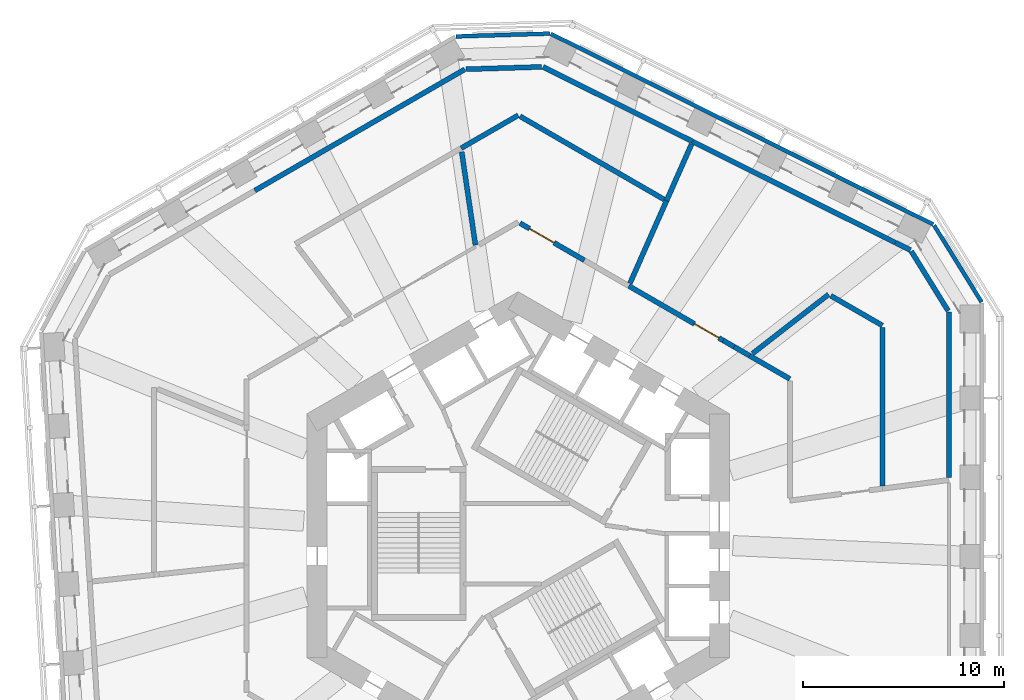
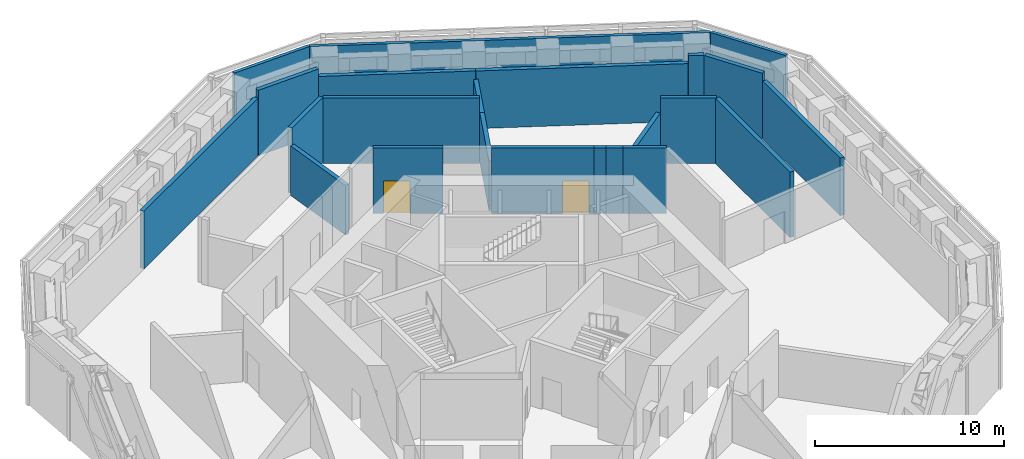
# One storey, part 8 of 15: 23 walls, 2 doors, 2 openings.
"""IFC4 building model written with IfcOpenShell, lengths in metres."""

from ifc_helpers import new_model, si_unit, direction, frame, frame_2d, origin, place, context, subcontext, project, spatial, rectangle, extrude, material, layer, layer_set, type_object, element, fill, save


model = new_model("IFC4")

# Units and contexts
model_context = context("Model", 3, precision=1e-05, world=origin(), true_north=direction((0.0, 1.0)))
body_context = subcontext(model_context, "Body", "Model", "MODEL_VIEW")
ifc_project = project(units=[si_unit("LENGTHUNIT", "METRE"), si_unit("AREAUNIT", "SQUARE_METRE"), si_unit("VOLUMEUNIT", "CUBIC_METRE"), si_unit("PLANEANGLEUNIT", "RADIAN"), si_unit("MASSUNIT", "GRAM", prefix="KILO")], contexts=[model_context])

# Site, building, storey
site_placement = place(None, origin())
site = spatial("IfcSite", under=ifc_project, at=site_placement, CompositionType="ELEMENT")
building_placement = place(site_placement, origin())
building = spatial("IfcBuilding", under=site, at=building_placement, Name="Vanh Sen Convention Tower", CompositionType="ELEMENT")
storey_placement = place(building_placement, frame((0.0, 0.0, 119.89990234375)))
storey = spatial("IfcBuildingStorey", under=building, at=storey_placement, Name="L29", CompositionType="ELEMENT", Elevation=119.89990234375)

# Walls
ifc_material_1 = material(Name="Concrete C40/50", Category="concrete")
ifc_layer_1 = layer(ifc_material_1, 0.25)
ifc_layer_set_1 = layer_set([ifc_layer_1], Name="Concrete C40/50")
wall_type_1 = type_object("IfcWallType", Name="Concrete wall 250 EI 180", PredefinedType="SOLIDWALL", material=ifc_layer_set_1)
wall_1_placement = place(storey_placement, frame((13.5, 7.7939453125, 0.0), z_axis=(0.0, 0.0, 1.0), x_axis=(-0.86594365243, 0.500141570774, 0.0)))
element("IfcWall", 1, at=wall_1_placement, inside=storey, type_object=wall_type_1, Name="Fire-resisting wall L29-047", PredefinedType="SOLIDWALL", context=body_context, shape_type="SweptSolid", body=[
    extrude(rectangle(XDim=2.302490234375, YDim=0.25, at=frame_2d((1.1513671875, 0.0))), origin(), (0.0, 0.0, 1.0), 4.22021484375),
])
wall_2_placement = place(storey_placement, frame((10.7333984375, 9.3916015625, 0.0), z_axis=(0.0, 0.0, 1.0), x_axis=(0.86606255962, -0.499935638681, 0.0)))
element("IfcWall", 2, at=wall_2_placement, inside=storey, type_object=wall_type_1, Name="Fire-resisting wall L29-049", PredefinedType="SOLIDWALL", context=body_context, shape_type="SweptSolid", body=[
    extrude(rectangle(XDim=0.89208984375, YDim=0.25, at=frame_2d((0.446044921875, 0.0))), origin(), (0.0, 0.0, 1.0), 4.22021484375),
])
wall_3_placement = place(storey_placement, frame((10.185791015625, 9.707763671875, 0.0), z_axis=(0.0, 0.0, 1.0), x_axis=(0.866024844342, -0.500000968981, 0.0)))
element("IfcWall", 3, at=wall_3_placement, inside=storey, type_object=wall_type_1, Name="Fire-resisting wall L29-050", PredefinedType="SOLIDWALL", context=body_context, shape_type="SweptSolid", body=[
    extrude(rectangle(XDim=0.63232421875, YDim=0.25, at=frame_2d((0.316162109375, 0.0))), origin(), (0.0, 0.0, 1.0), 4.22021484375),
])

# Wall, opening, door
wall_4_placement = place(storey_placement, frame((10.185791015625, 9.707763671875, 0.0), z_axis=(0.0, 0.0, 1.0), x_axis=(-0.866018196172, 0.500012483742, 0.0)))
wall_4 = element("IfcWall", 4, at=wall_4_placement, inside=storey, type_object=wall_type_1, Name="Fire-resisting wall L29-051", PredefinedType="SOLIDWALL", context=body_context, shape_type="SweptSolid", body=[
    extrude(rectangle(XDim=5.416259765625, YDim=0.25, at=frame_2d((2.7080078125, 0.0))), origin(), (0.0, 0.0, 1.0), 4.22021484375),
])
opening_1_placement = place(wall_4_placement, frame((0.25, 0.0, 0.0)))
opening_1 = element("IfcOpeningElement", 5, at=opening_1_placement, cuts=wall_4, Name="Opening D29108", PredefinedType="OPENING", context=body_context, shape_type="SweptSolid", body=[
    extrude(rectangle(XDim=1.39990234375, YDim=2.10009765625, at=frame_2d((0.699951171875, 1.050048828125))), frame((0.0, 0.135009765625, 0.0), z_axis=(0.0, -1.0, 0.0), x_axis=(1.0, 0.0, 0.0)), (0.0, 0.0, 1.0), 0.27001953125),
])
ifc_material_2 = material(Name="Steel S355", Category="steel")
door_type = type_object("IfcDoorType", Name="Service door 1400 EI 60", OperationType="SINGLE_SWING_LEFT", PredefinedType="DOOR", material=ifc_material_2)
door_1_placement = place(opening_1_placement, origin())
door_1 = element("IfcDoor", 6, at=door_1_placement, inside=storey, type_object=door_type, Name="Service door D29108", OperationType="SINGLE_SWING_LEFT", OverallHeight=2.10009765625, OverallWidth=1.39990234375, PredefinedType="DOOR", context=body_context, shape_type="SweptSolid", body=[
    extrude(rectangle(XDim=1.39990234375, YDim=2.10009765625, at=frame_2d((0.699951171875, 1.050048828125))), frame((0.0, 0.02490234375, 0.0), z_axis=(0.0, -1.0, 0.0), x_axis=(1.0, 0.0, 0.0)), (0.0, 0.0, 1.0), 0.050048828125),
])
fill(opening_1, door_1)

# Walls
wall_5_placement = place(storey_placement, frame((18.10009765625, 10.35009765625, 0.0), z_axis=(0.0, 0.0, 1.0), x_axis=(0.0, -1.0, 0.0)))
element("IfcWall", 7, at=wall_5_placement, inside=storey, type_object=wall_type_1, Name="Fire-resisting wall L29-053", PredefinedType="SOLIDWALL", context=body_context, shape_type="SweptSolid", body=[
    extrude(rectangle(XDim=7.8681640625, YDim=0.25, at=frame_2d((3.93408203125, 0.0))), origin(), (0.0, 0.0, 1.0), 4.22021484375),
])
wall_6_placement = place(storey_placement, frame((21.405029296875, 11.117431640625, 0.0), z_axis=(0.0, 0.0, 1.0), x_axis=(0.0, -1.0, 0.0)))
element("IfcWall", 8, at=wall_6_placement, inside=storey, type_object=wall_type_1, Name="Fire-resisting wall L29-057", PredefinedType="SOLIDWALL", context=body_context, shape_type="SweptSolid", body=[
    extrude(rectangle(XDim=8.221923828125, YDim=0.25, at=frame_2d((4.11083984375, 0.0))), origin(), (0.0, 0.0, 1.0), 3.72021484375),
])
wall_7_placement = place(storey_placement, frame((15.534423828125, 11.928955078125, 0.0), z_axis=(0.0, 0.0, 1.0), x_axis=(0.866359837259, -0.499420296328, 0.0)))
element("IfcWall", 9, at=wall_7_placement, inside=storey, type_object=wall_type_1, Name="Fire-resisting wall L29-058", PredefinedType="SOLIDWALL", context=body_context, shape_type="SweptSolid", body=[
    extrude(rectangle(XDim=2.96142578125, YDim=0.25, at=frame_2d((1.480712890625, 0.0))), origin(), (0.0, 0.0, 1.0), 4.22021484375),
])
wall_8_placement = place(storey_placement, frame((15.4267578125, 11.993408203125, 0.0), z_axis=(0.0, 0.0, 1.0), x_axis=(-0.789492280001, -0.613760490597, 0.0)))
element("IfcWall", 10, at=wall_8_placement, inside=storey, type_object=wall_type_1, Name="Fire-resisting wall L29-059", PredefinedType="SOLIDWALL", context=body_context, shape_type="SweptSolid", body=[
    extrude(rectangle(XDim=4.7861328125, YDim=0.25, at=frame_2d((2.39306640625, 0.0))), origin(), (0.0, 0.0, 1.0), 3.2001953125),
])

# Wall, opening, door
wall_9_placement = place(storey_placement, frame((3.285888671875, 13.69140625, 0.0), z_axis=(0.0, 0.0, 1.0), x_axis=(-0.866013897511, 0.50001992892, 0.0)))
wall_9 = element("IfcWall", 11, at=wall_9_placement, inside=storey, type_object=wall_type_1, Name="Fire-resisting wall L29-064", PredefinedType="SOLIDWALL", context=body_context, shape_type="SweptSolid", body=[
    extrude(rectangle(XDim=3.694091796875, YDim=0.25, at=frame_2d((1.84716796875, 0.0))), origin(), (0.0, 0.0, 1.0), 4.22021484375),
])
opening_2_placement = place(wall_9_placement, frame((1.744140625, 0.0, 0.0)))
opening_2 = element("IfcOpeningElement", 12, at=opening_2_placement, cuts=wall_9, Name="Opening D29111", PredefinedType="OPENING", context=body_context, shape_type="SweptSolid", body=[
    extrude(rectangle(XDim=1.39990234375, YDim=2.10009765625, at=frame_2d((0.699951171875, 1.050048828125))), frame((0.0, 0.135009765625, 0.0), z_axis=(0.0, -1.0, 0.0), x_axis=(1.0, 0.0, 0.0)), (0.0, 0.0, 1.0), 0.27001953125),
])
door_2_placement = place(opening_2_placement, origin())
door_2 = element("IfcDoor", 13, at=door_2_placement, inside=storey, type_object=door_type, Name="Service door D29111", OperationType="SINGLE_SWING_LEFT", OverallHeight=2.10009765625, OverallWidth=1.39990234375, PredefinedType="DOOR", context=body_context, shape_type="SweptSolid", body=[
    extrude(rectangle(XDim=1.39990234375, YDim=2.10009765625, at=frame_2d((0.699951171875, 1.050048828125))), frame((0.0, 0.02490234375, 0.0), z_axis=(0.0, -1.0, 0.0), x_axis=(1.0, 0.0, 0.0)), (0.0, 0.0, 1.0), 0.050048828125),
])
fill(opening_2, door_2)

# Walls
wall_10_placement = place(storey_placement, frame((19.53662109375, 14.139404296875, 0.0), z_axis=(0.0, 0.0, 1.0), x_axis=(0.52617859546, -0.850374085729, 0.0)))
element("IfcWall", 14, at=wall_10_placement, inside=storey, type_object=wall_type_1, Name="Fire-resisting wall L29-065", PredefinedType="SOLIDWALL", context=body_context, shape_type="SweptSolid", body=[
    extrude(rectangle(XDim=3.48583984375, YDim=0.25, at=frame_2d((1.742919921875, 0.0))), origin(), (0.0, 0.0, 1.0), 4.22021484375),
])
wall_11_placement = place(storey_placement, frame((-2.127197265625, 14.446533203125, 0.0), z_axis=(0.0, 0.0, 1.0), x_axis=(-0.145734161627, 0.989323786298, 0.0)))
element("IfcWall", 15, at=wall_11_placement, inside=storey, type_object=wall_type_1, Name="Fire-resisting wall L29-068", PredefinedType="SOLIDWALL", context=body_context, shape_type="SweptSolid", body=[
    extrude(rectangle(XDim=4.682373046875, YDim=0.25, at=frame_2d((2.34130859375, 0.0))), origin(), (0.0, 0.0, 1.0), 3.2001953125),
])
wall_12_placement = place(storey_placement, frame((18.74755859375, 14.571044921875, 0.0), z_axis=(0.0, 0.0, 1.0), x_axis=(0.894659751278, -0.446748172289, 0.0)))
element("IfcWall", 16, at=wall_12_placement, inside=storey, type_object=wall_type_1, Name="Fire-resisting wall L29-071", PredefinedType="SOLIDWALL", context=body_context, shape_type="SweptSolid", body=[
    extrude(rectangle(XDim=0.83935546875, YDim=0.25, at=frame_2d((0.419677734375, 0.0))), origin(), (0.0, 0.0, 1.0), 4.22021484375),
])
wall_13_placement = place(storey_placement, frame((7.367431640625, 16.646484375, 0.0), z_axis=(0.0, 0.0, 1.0), x_axis=(-0.404689706038, -0.914454067642, 0.0)))
element("IfcWall", 17, at=wall_13_placement, inside=storey, type_object=wall_type_1, Name="Fire-resisting wall L29-072", PredefinedType="SOLIDWALL", context=body_context, shape_type="SweptSolid", body=[
    extrude(rectangle(XDim=4.489013671875, YDim=0.25, at=frame_2d((2.24462890625, 0.0))), origin(), (0.0, 0.0, 1.0), 3.2001953125),
])
wall_14_placement = place(storey_placement, frame((7.3701171875, 16.64794921875, 0.0), z_axis=(0.0, 0.0, 1.0), x_axis=(0.404230252102, 0.914657260008, 0.0)))
element("IfcWall", 18, at=wall_14_placement, inside=storey, type_object=wall_type_1, Name="Fire-resisting wall L29-073", PredefinedType="SOLIDWALL", context=body_context, shape_type="SweptSolid", body=[
    extrude(rectangle(XDim=3.075927734375, YDim=0.25, at=frame_2d((1.5380859375, 0.0))), origin(), (0.0, 0.0, 1.0), 3.2001953125),
])
wall_15_placement = place(storey_placement, frame((-13.090576171875, 17.158447265625, 0.0), z_axis=(0.0, 0.0, 1.0), x_axis=(0.866014210799, 0.500019386319, 0.0)))
element("IfcWall", 19, at=wall_15_placement, inside=storey, type_object=wall_type_1, Name="Fire-resisting wall L29-074", PredefinedType="SOLIDWALL", context=body_context, shape_type="SweptSolid", body=[
    extrude(rectangle(XDim=12.0517578125, YDim=0.25, at=frame_2d((6.02587890625, 0.0))), origin(), (0.0, 0.0, 1.0), 3.72021484375),
])
wall_16_placement = place(storey_placement, frame((-2.836669921875, 19.262451171875, 0.0), z_axis=(0.0, 0.0, 1.0), x_axis=(0.866065190429, 0.499931081178, 0.0)))
element("IfcWall", 20, at=wall_16_placement, inside=storey, type_object=wall_type_1, Name="Fire-resisting wall L29-075", PredefinedType="SOLIDWALL", context=body_context, shape_type="SweptSolid", body=[
    extrude(rectangle(XDim=3.275390625, YDim=0.25, at=frame_2d((1.6376953125, 0.0))), origin(), (0.0, 0.0, 1.0), 4.22021484375),
])
wall_17_placement = place(storey_placement, frame((8.67138671875, 19.5888671875, 0.0), z_axis=(0.0, 0.0, 1.0), x_axis=(0.894943312415, -0.446179860106, 0.0)))
element("IfcWall", 21, at=wall_17_placement, inside=storey, type_object=wall_type_1, Name="Fire-resisting wall L29-076", PredefinedType="SOLIDWALL", context=body_context, shape_type="SweptSolid", body=[
    extrude(rectangle(XDim=11.2451171875, YDim=0.25, at=frame_2d((5.62255859375, 0.0))), origin(), (0.0, 0.0, 1.0), 3.72021484375),
])
wall_18_placement = place(storey_placement, frame((0.086669921875, 20.85009765625, 0.0), z_axis=(0.0, 0.0, 1.0), x_axis=(0.86602280332, -0.500004504109, 0.0)))
element("IfcWall", 22, at=wall_18_placement, inside=storey, type_object=wall_type_1, Name="Fire-resisting wall L29-077", PredefinedType="SOLIDWALL", context=body_context, shape_type="SweptSolid", body=[
    extrude(rectangle(XDim=8.26708984375, YDim=0.25, at=frame_2d((4.133544921875, 0.0))), origin(), (0.0, 0.0, 1.0), 4.22021484375),
])
wall_19_placement = place(storey_placement, frame((-2.58642578125, 23.188232421875, 0.0), z_axis=(0.0, 0.0, 1.0), x_axis=(0.999534894081, 0.030495827825, 0.0)))
element("IfcWall", 23, at=wall_19_placement, inside=storey, type_object=wall_type_1, Name="Fire-resisting wall L29-078", PredefinedType="SOLIDWALL", context=body_context, shape_type="SweptSolid", body=[
    extrude(rectangle(XDim=3.754638671875, YDim=0.25, at=frame_2d((1.87744140625, 0.0))), origin(), (0.0, 0.0, 1.0), 4.22021484375),
])
wall_20_placement = place(storey_placement, frame((1.23291015625, 23.302978515625, 0.0), z_axis=(0.0, 0.0, 1.0), x_axis=(0.894944104828, -0.446178270688, 0.0)))
element("IfcWall", 24, at=wall_20_placement, inside=storey, type_object=wall_type_1, Name="Fire-resisting wall L29-079", PredefinedType="SOLIDWALL", context=body_context, shape_type="SweptSolid", body=[
    extrude(rectangle(XDim=8.302978515625, YDim=0.25, at=frame_2d((4.1513671875, 0.0))), origin(), (0.0, 0.0, 1.0), 3.72021484375),
])
ifc_material_3 = material(Name="Insulated lightweight infill wall")
ifc_layer_2 = layer(ifc_material_3, 0.199951171875)
ifc_layer_set_2 = layer_set([ifc_layer_2], Name="Insulated lightweight infill wall")
wall_type_2 = type_object("IfcWallType", Name="External wall 200", PredefinedType="STANDARD", material=ifc_layer_set_2)
wall_21_placement = place(storey_placement, frame((23.034912109375, 11.612060546875, 0.0), z_axis=(0.0, 0.0, 1.0), x_axis=(-0.526160091227, 0.850385535155, 0.0)))
element("IfcWall", 25, at=wall_21_placement, inside=storey, type_object=wall_type_2, Name="External wall CH1 L29", PredefinedType="STANDARD", context=body_context, shape_type="SweptSolid", body=[
    extrude(rectangle(XDim=4.493896484375, YDim=0.199951171875, at=frame_2d((2.2470703125, 0.0))), origin(), (0.0, 0.0, 1.0), 4.5),
])
wall_22_placement = place(storey_placement, frame((20.6298828125, 15.470458984375, 0.0), z_axis=(0.0, 0.0, 1.0), x_axis=(-0.894934518609, 0.446197498203, 0.0)))
element("IfcWall", 26, at=wall_22_placement, inside=storey, type_object=wall_type_2, Name="External wall NE L29", PredefinedType="STANDARD", context=body_context, shape_type="SweptSolid", body=[
    extrude(rectangle(XDim=21.24609375, YDim=0.199951171875, at=frame_2d((10.623046875, 0.0))), origin(), (0.0, 0.0, 1.0), 4.5),
])
wall_23_placement = place(storey_placement, frame((1.568359375, 24.9609375, 0.0), z_axis=(0.0, 0.0, 1.0), x_axis=(-0.999533359013, -0.030546099927, 0.0)))
element("IfcWall", 27, at=wall_23_placement, inside=storey, type_object=wall_type_2, Name="External wall CH2 L29", PredefinedType="STANDARD", context=body_context, shape_type="SweptSolid", body=[
    extrude(rectangle(XDim=4.65966796875, YDim=0.199951171875, at=frame_2d((2.329833984375, 0.0))), origin(), (0.0, 0.0, 1.0), 4.5),
])

save(model, "model.ifc")
